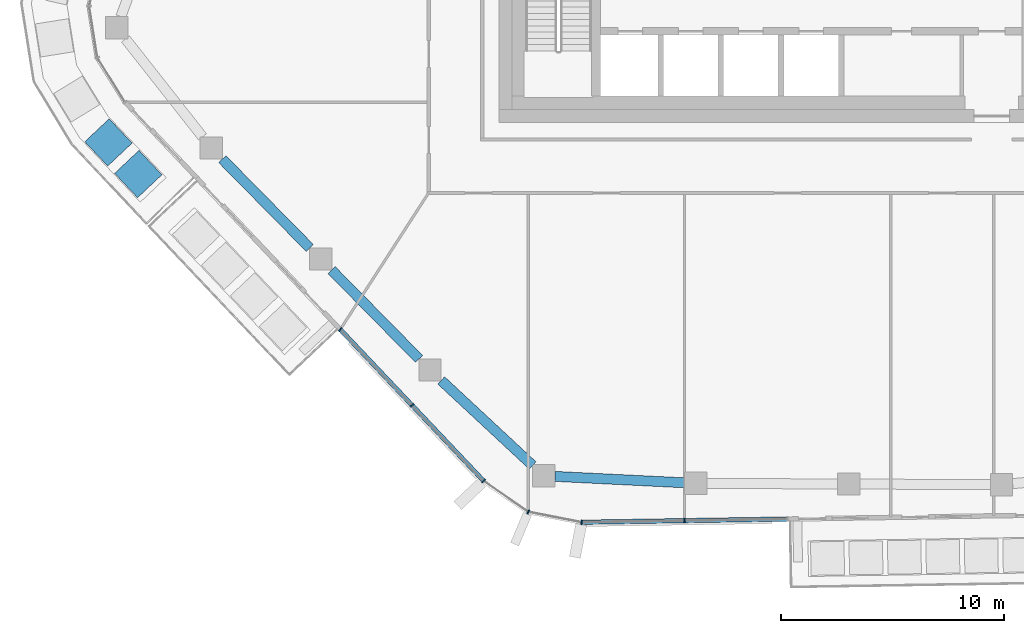
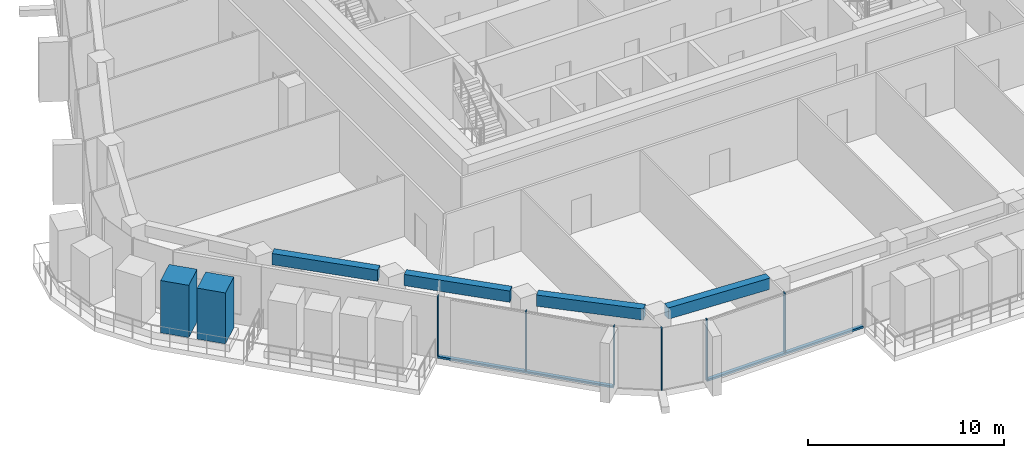
# One storey, part 2 of 24: 10 members, 4 beams, 3 elements without a shape of their own.
"""IFC4 building model written with IfcOpenShell, lengths in metres."""

from ifc_helpers import new_model, si_unit, direction, frame, origin, origin_2d, place, context, subcontext, project, spatial, rectangle, extrude, material, layer, layer_set, material_profile, profile_set, type_object, element, aggregate, save


model = new_model("IFC4")

# Units and contexts
model_context = context("Model", 3, precision=1e-05, world=origin(), true_north=direction((0.0, 1.0)))
body_context = subcontext(model_context, "Body", "Model", "MODEL_VIEW")
ifc_project = project(units=[si_unit("LENGTHUNIT", "METRE"), si_unit("AREAUNIT", "SQUARE_METRE"), si_unit("VOLUMEUNIT", "CUBIC_METRE"), si_unit("PLANEANGLEUNIT", "RADIAN"), si_unit("MASSUNIT", "GRAM", prefix="KILO")], contexts=[model_context])

# Site, building, storey
site_placement = place(None, origin())
site = spatial("IfcSite", under=ifc_project, at=site_placement, CompositionType="ELEMENT")
building_placement = place(site_placement, origin())
building = spatial("IfcBuilding", under=site, at=building_placement, Name="Dongbaek Canopy Tower", CompositionType="ELEMENT")
storey_placement = place(building_placement, frame((0.0, 0.0, 302.60009765625)))
storey = spatial("IfcBuildingStorey", under=building, at=storey_placement, Name="L64", CompositionType="ELEMENT", Elevation=302.60009765625)

# Curtain wall, members
ifc_material_1 = material(Name="Aluminium 6063-T6 pale anodised", Category="aluminium")
ifc_layer = layer(ifc_material_1, 0.199951171875)
ifc_layer_set = layer_set([ifc_layer], Name="CW-1 unitised tower curtain wall")
curtain_wall_type = type_object("IfcCurtainWallType", Name="CW-1 unitised tower curtain wall", PredefinedType="NOTDEFINED", material=ifc_layer_set)
curtain_wall_1_placement = place(storey_placement, origin())
curtain_wall_1 = element("IfcCurtainWall", 1, at=curtain_wall_1_placement, inside=storey, type_object=curtain_wall_type, Name="CW-1 curtain wall F3.1", PredefinedType="NOTDEFINED")
ifc_material_2 = material(Name="Aluminium 6063-T6 pale anodised", Category="aluminium")
ifc_material_profile_1 = material_profile(ifc_material_2, rectangle(XDim=0.199951171875, YDim=0.06005859375, at=origin_2d()), Name="CW-1 mullion 60 x 200")
ifc_profile_set_1 = profile_set([ifc_material_profile_1], Name="Aluminium 6063-T6 pale anodised")
member_type_1 = type_object("IfcMemberType", Name="CW-1 mullion 60 x 200", PredefinedType="MULLION", material=ifc_profile_set_1)
member_1_placement = place(storey_placement, frame((-21.110107421875, -20.26953125, 0.119873046875), z_axis=(0.0, 0.0, 1.0), x_axis=(-0.72635486076, -0.687319879132, 0.0)))
member_1 = element("IfcMember", 2, at=member_1_placement, type_object=member_type_1, Name="CW-1 mullion F3.1.1", PredefinedType="MULLION", context=body_context, shape_type="SweptSolid", body=[
    extrude(rectangle(XDim=0.199951171875, YDim=0.06005859375, at=origin_2d()), origin(), (0.0, 0.0, 1.0), 3.699951171875),
])
member_2_placement = place(storey_placement, frame((-17.893310546875, -23.6689453125, 0.119873046875), z_axis=(0.0, 0.0, 1.0), x_axis=(-0.72635486076, -0.687319879132, 0.0)))
member_2 = element("IfcMember", 3, at=member_2_placement, type_object=member_type_1, Name="CW-1 mullion F3.1.2", PredefinedType="MULLION", context=body_context, shape_type="SweptSolid", body=[
    extrude(rectangle(XDim=0.199951171875, YDim=0.06005859375, at=origin_2d()), origin(), (0.0, 0.0, 1.0), 3.699951171875),
])
member_3_placement = place(storey_placement, frame((-14.683837890625, -27.060546875, 0.119873046875), z_axis=(0.0, 0.0, 1.0), x_axis=(-0.72635486076, -0.687319879132, 0.0)))
member_3 = element("IfcMember", 4, at=member_3_placement, type_object=member_type_1, Name="CW-1 mullion F3.1.3", PredefinedType="MULLION", context=body_context, shape_type="SweptSolid", body=[
    extrude(rectangle(XDim=0.199951171875, YDim=0.06005859375, at=origin_2d()), origin(), (0.0, 0.0, 1.0), 3.699951171875),
])

curtain_wall_2_placement = place(storey_placement, origin())
curtain_wall_2 = element("IfcCurtainWall", 5, at=curtain_wall_2_placement, inside=storey, type_object=curtain_wall_type, Name="CW-1 curtain wall K4.1", PredefinedType="NOTDEFINED")
member_4_placement = place(storey_placement, frame((-12.6806640625, -28.4482421875, 0.0), z_axis=(0.0, 0.0, 1.0), x_axis=(-0.388183293071, -0.921582188945, 0.0)))
member_4 = element("IfcMember", 6, at=member_4_placement, type_object=member_type_1, Name="CW-1 mullion K4.1.2", PredefinedType="MULLION", context=body_context, shape_type="SweptSolid", body=[
    extrude(rectangle(XDim=0.199951171875, YDim=0.06005859375, at=origin_2d()), origin(), (0.0, 0.0, 1.0), 3.81982421875),
])
member_5_placement = place(storey_placement, frame((-10.2880859375, -28.912109375, 0.0), z_axis=(0.0, 0.0, 1.0), x_axis=(-0.190319354711, -0.981722233232, 0.0)))
member_5 = element("IfcMember", 7, at=member_5_placement, type_object=member_type_1, Name="CW-1 mullion K4.1.3", PredefinedType="MULLION", context=body_context, shape_type="SweptSolid", body=[
    extrude(rectangle(XDim=0.199951171875, YDim=0.06005859375, at=origin_2d()), origin(), (0.0, 0.0, 1.0), 3.81982421875),
])
aggregate(curtain_wall_2, [member_4, member_5])

# Curtain wall, member
curtain_wall_3_placement = place(storey_placement, origin())
curtain_wall_3 = element("IfcCurtainWall", 8, at=curtain_wall_3_placement, inside=storey, type_object=curtain_wall_type, Name="CW-1 curtain wall F4.1", PredefinedType="NOTDEFINED")
member_6_placement = place(storey_placement, frame((-5.6767578125, -28.83984375, 0.119873046875), z_axis=(0.0, 0.0, 1.0), x_axis=(0.015683964455, -0.999876999065, 0.0)))
member_6 = element("IfcMember", 9, at=member_6_placement, type_object=member_type_1, Name="CW-1 mullion F4.1.2", PredefinedType="MULLION", context=body_context, shape_type="SweptSolid", body=[
    extrude(rectangle(XDim=0.199951171875, YDim=0.06005859375, at=origin_2d()), origin(), (0.0, 0.0, 1.0), 3.699951171875),
])

# Member
ifc_material_3 = material(Name="Aluminium 6063-T6 pale anodised", Category="aluminium")
ifc_material_profile_2 = material_profile(ifc_material_3, rectangle(XDim=0.199951171875, YDim=0.1201171875, at=origin_2d()), Name="CW-1 transom 120 x 200")
ifc_profile_set_2 = profile_set([ifc_material_profile_2], Name="Aluminium 6063-T6 pale anodised")
member_type_2 = type_object("IfcMemberType", Name="CW-1 transom 120 x 200", PredefinedType="USERDEFINED", material=ifc_profile_set_2)
member_7_placement = place(storey_placement, frame((-21.110107421875, -20.26953125, 0.059814453125), z_axis=(0.687331693276, -0.726343681337, 0.0), x_axis=(0.726343681337, 0.687331693276, 0.0)))
member_7 = element("IfcMember", 10, at=member_7_placement, type_object=member_type_2, Name="CW-1 transom F3.1.1", ObjectType="TRANSOM", PredefinedType="USERDEFINED", context=body_context, shape_type="SweptSolid", body=[
    extrude(rectangle(XDim=0.199951171875, YDim=0.1201171875, at=origin_2d()), origin(), (0.0, 0.0, 1.0), 9.349609375),
])

aggregate(curtain_wall_1, [member_1, member_2, member_3, member_7])

member_8_placement = place(storey_placement, frame((-10.2880859375, -28.912109375, 0.059814453125), z_axis=(0.999877092259, 0.015678022045, 0.0), x_axis=(-0.015678022045, 0.999877092259, 0.0)))
member_8 = element("IfcMember", 11, at=member_8_placement, type_object=member_type_2, Name="CW-1 transom F4.1.1", ObjectType="TRANSOM", PredefinedType="USERDEFINED", context=body_context, shape_type="SweptSolid", body=[
    extrude(rectangle(XDim=0.199951171875, YDim=0.1201171875, at=origin_2d()), origin(), (0.0, 0.0, 1.0), 9.234375),
])

aggregate(curtain_wall_3, [member_6, member_8])

# Beams
ifc_material_4 = material(Name="Concrete C60", Category="concrete")
ifc_material_profile_3 = material_profile(ifc_material_4, rectangle(XDim=0.449951171875, YDim=0.699951171875, at=origin_2d()), Name="RC EDGE BEAM 450x700 C60")
ifc_profile_set_3 = profile_set([ifc_material_profile_3], Name="Concrete C60")
beam_type = type_object("IfcBeamType", Name="RC EDGE BEAM 450x700 C60", PredefinedType="BEAM", material=ifc_profile_set_3)
beam_1_placement = place(storey_placement, frame((-5.666015625, -27.142333984375, 3.469970703125), z_axis=(-0.998789160621, 0.049195656579, 0.0), x_axis=(-0.049195656579, -0.998789160621, 0.0)))
element("IfcBeam", 12, at=beam_1_placement, inside=storey, type_object=beam_type, Name="EDGEBEAM:L64:03", PredefinedType="BEAM", context=body_context, shape_type="SweptSolid", body=[
    extrude(rectangle(XDim=0.449951171875, YDim=0.699951171875, at=origin_2d()), origin(), (0.0, 0.0, 1.0), 5.826171875),
])
beam_2_placement = place(storey_placement, frame((-12.485107421875, -26.365966796875, 3.469970703125), z_axis=(-0.732266655485, 0.681018021248, 0.0), x_axis=(-0.681018021248, -0.732266655485, 0.0)))
element("IfcBeam", 13, at=beam_2_placement, inside=storey, type_object=beam_type, Name="EDGEBEAM:L64:04", PredefinedType="BEAM", context=body_context, shape_type="SweptSolid", body=[
    extrude(rectangle(XDim=0.449951171875, YDim=0.699951171875, at=origin_2d()), origin(), (0.0, 0.0, 1.0), 5.597412109375),
])
beam_3_placement = place(storey_placement, frame((-17.576416015625, -21.589111328125, 3.469970703125), z_axis=(-0.701706740597, 0.712465894062, 0.0), x_axis=(-0.712465894062, -0.701706740597, 0.0)))
element("IfcBeam", 14, at=beam_3_placement, inside=storey, type_object=beam_type, Name="EDGEBEAM:L64:05", PredefinedType="BEAM", context=body_context, shape_type="SweptSolid", body=[
    extrude(rectangle(XDim=0.449951171875, YDim=0.699951171875, at=origin_2d()), origin(), (0.0, 0.0, 1.0), 5.58203125),
])
beam_4_placement = place(storey_placement, frame((-22.478515625, -16.612060546875, 3.469970703125), z_axis=(-0.701708081315, 0.712464573588, 0.0), x_axis=(-0.712464573588, -0.701708081315, 0.0)))
element("IfcBeam", 15, at=beam_4_placement, inside=storey, type_object=beam_type, Name="EDGEBEAM:L64:06", PredefinedType="BEAM", context=body_context, shape_type="SweptSolid", body=[
    extrude(rectangle(XDim=0.449951171875, YDim=0.699951171875, at=origin_2d()), origin(), (0.0, 0.0, 1.0), 5.58349609375),
])

# Members
ifc_material_5 = material(Name="Concrete C40/50 planter mass with planting", Category="concrete")
ifc_material_profile_4 = material_profile(ifc_material_5, rectangle(XDim=1.5, YDim=1.5, at=origin_2d()), Name="Terrace PLANTER shrub mass 1500 x 1500")
ifc_profile_set_4 = profile_set([ifc_material_profile_4], Name="Concrete C40/50 planter mass with planting")
member_type_3 = type_object("IfcMemberType", Name="Terrace PLANTER shrub mass 1500 x 1500", PredefinedType="USERDEFINED", material=ifc_profile_set_4)
member_9_placement = place(storey_placement, frame((-31.501708984375, -11.882568359375, 0.419921875), z_axis=(0.0, 0.0, 1.0), x_axis=(-0.72784481532, -0.685741879144, 0.0)))
element("IfcMember", 16, at=member_9_placement, inside=storey, type_object=member_type_3, Name="Planter shrubs L64 7.4", ObjectType="PLANTER", PredefinedType="USERDEFINED", context=body_context, shape_type="SweptSolid", body=[
    extrude(rectangle(XDim=1.5, YDim=1.5, at=origin_2d()), origin(), (0.0, 0.0, 1.0), 3.25),
])
member_10_placement = place(storey_placement, frame((-30.164794921875, -13.301513671875, 0.419921875), z_axis=(0.0, 0.0, 1.0), x_axis=(-0.72784481532, -0.685741879144, 0.0)))
element("IfcMember", 17, at=member_10_placement, inside=storey, type_object=member_type_3, Name="Planter shrubs L64 7.5", ObjectType="PLANTER", PredefinedType="USERDEFINED", context=body_context, shape_type="SweptSolid", body=[
    extrude(rectangle(XDim=1.5, YDim=1.5, at=origin_2d()), origin(), (0.0, 0.0, 1.0), 3.169921875),
])

save(model, "model.ifc")
